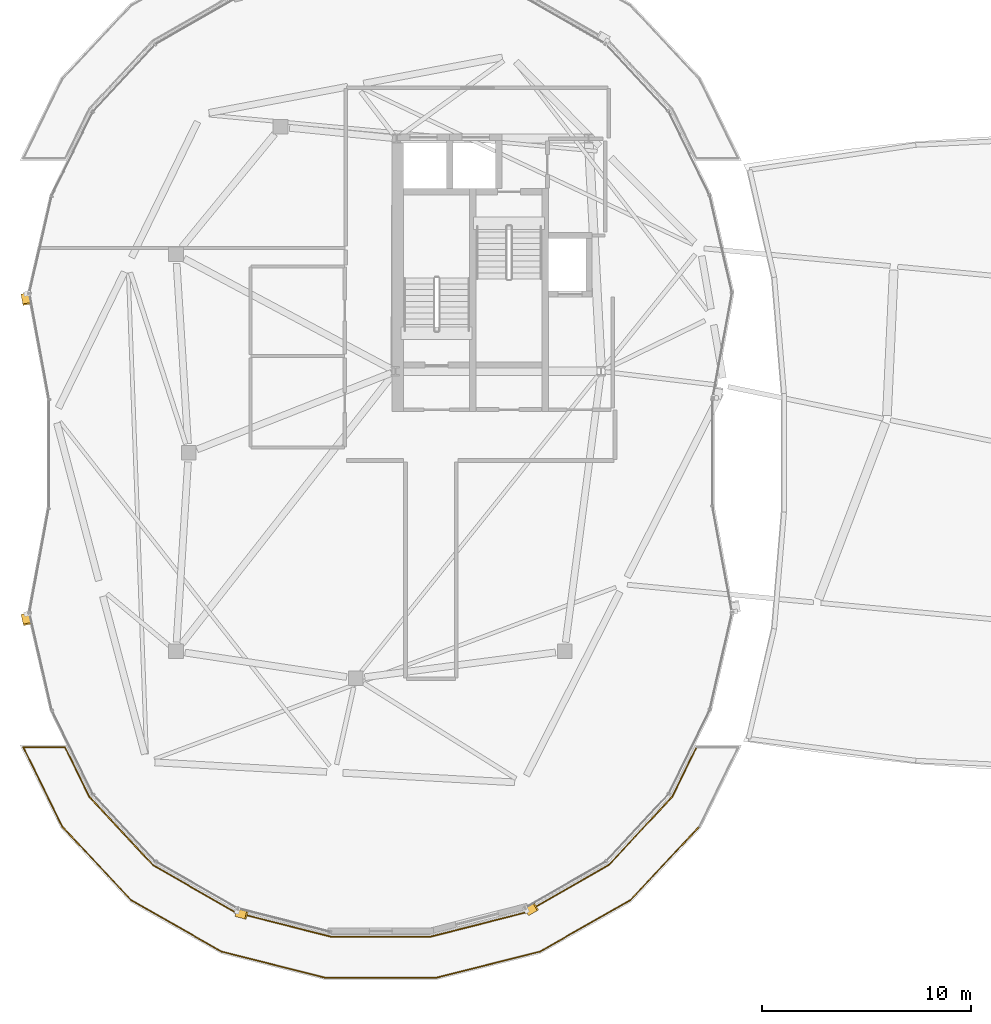
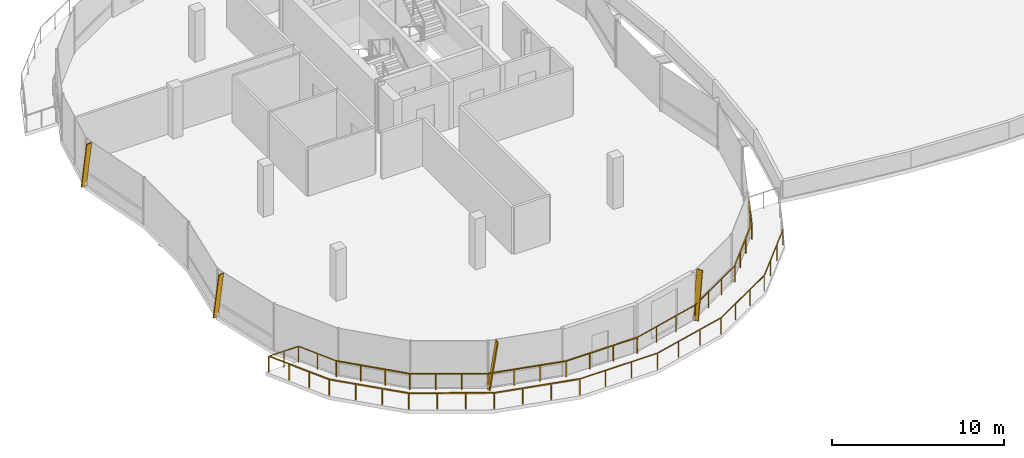
# One storey, part 25 of 31: 9 railings, 4 shading devices.
"""IFC4 building model written with IfcOpenShell, lengths in metres."""

from ifc_helpers import new_model, si_unit, direction, frame, origin, origin_2d, place, context, subcontext, project, spatial, rectangle, extrude, material, material_profile, profile_set, type_object, element, save


model = new_model("IFC4")

# Units and contexts
model_context = context("Model", 3, precision=1e-05, world=origin(), true_north=direction((0.0, 1.0)))
body_context = subcontext(model_context, "Body", "Model", "MODEL_VIEW")
ifc_project = project(units=[si_unit("LENGTHUNIT", "METRE"), si_unit("AREAUNIT", "SQUARE_METRE"), si_unit("VOLUMEUNIT", "CUBIC_METRE"), si_unit("PLANEANGLEUNIT", "RADIAN"), si_unit("MASSUNIT", "GRAM", prefix="KILO"), si_unit("THERMODYNAMICTEMPERATUREUNIT", "KELVIN"), si_unit("POWERUNIT", "WATT")], contexts=[model_context])

# Site, building, storey
site_placement = place(None, origin())
site = spatial("IfcSite", under=ifc_project, at=site_placement, CompositionType="ELEMENT")
building_placement = place(site_placement, origin())
building = spatial("IfcBuilding", under=site, at=building_placement, Name="Cundina Bronze Exchange", CompositionType="ELEMENT")
storey_placement = place(building_placement, frame((0.0, 0.0, 275.60009765625)))
storey = spatial("IfcBuildingStorey", under=building, at=storey_placement, Name="L73", CompositionType="ELEMENT", Elevation=275.60009765625)

# Railings
ifc_material = material(Name="Anodised Bronze Aluminium 6063-T6", Category="aluminium")
railing_type = type_object("IfcRailingType", Name="RLG-GRD-1150", PredefinedType="GUARDRAIL", material=ifc_material)
railing_1_placement = place(storey_placement, frame((-16.756103515625, -17.903564453125, 0.0)))
element("IfcRailing", 1, at=railing_1_placement, inside=storey, type_object=railing_type, Name="L73 Perimeter Safety Guardrail 01", PredefinedType="GUARDRAIL", context=body_context, shape_type="SweptSolid", body=[
    extrude(rectangle(XDim=0.048095703125, YDim=0.048095703125, at=origin_2d()), frame((0.0, 0.0, 1.1259765625), z_axis=(-0.684374532241, -0.729130646469, 0.0), x_axis=(0.729130646469, -0.684374532241, 0.0)), (0.0, 0.0, 1.0), 4.8330078125),
    extrude(rectangle(XDim=0.048095703125, YDim=0.048095703125, at=origin_2d()), frame((-3.3076171875, -3.52392578125, 1.1259765625), z_axis=(-0.86955534313, -0.493835504226, 0.0), x_axis=(0.493835504226, -0.86955534313, 0.0)), (0.0, 0.0, 1.0), 4.968994140625),
    extrude(rectangle(XDim=0.0419921875, YDim=0.0419921875, at=origin_2d()), origin(), (0.0, 0.0, 1.0), 1.101806640625),
    extrude(rectangle(XDim=0.0419921875, YDim=0.0419921875, at=origin_2d()), frame((-1.1025390625, -1.174560546875, 0.0)), (0.0, 0.0, 1.0), 1.101806640625),
    extrude(rectangle(XDim=0.0419921875, YDim=0.0419921875, at=origin_2d()), frame((-2.205078125, -2.349365234375, 0.0)), (0.0, 0.0, 1.0), 1.101806640625),
    extrude(rectangle(XDim=0.0419921875, YDim=0.0419921875, at=origin_2d()), frame((-3.3076171875, -3.52392578125, 0.0)), (0.0, 0.0, 1.0), 1.101806640625),
    extrude(rectangle(XDim=0.0419921875, YDim=0.0419921875, at=origin_2d()), frame((-4.747802734375, -4.341796875, 0.0)), (0.0, 0.0, 1.0), 1.101806640625),
    extrude(rectangle(XDim=0.0419921875, YDim=0.0419921875, at=origin_2d()), frame((-6.188232421875, -5.159912109375, 0.0)), (0.0, 0.0, 1.0), 1.101806640625),
    extrude(rectangle(XDim=0.0419921875, YDim=0.0419921875, at=origin_2d()), frame((-7.62841796875, -5.977783203125, 0.0)), (0.0, 0.0, 1.0), 1.101806640625),
])
railing_2_placement = place(storey_placement, frame((-24.384521484375, -23.88134765625, 0.0)))
element("IfcRailing", 2, at=railing_2_placement, inside=storey, type_object=railing_type, Name="L73 Perimeter Safety Guardrail 02", PredefinedType="GUARDRAIL", context=body_context, shape_type="SweptSolid", body=[
    extrude(rectangle(XDim=0.048095703125, YDim=0.048095703125, at=origin_2d()), frame((0.0, 0.0, 1.1259765625), z_axis=(-0.969737184332, -0.244151168998, 0.0), x_axis=(0.244151168998, -0.969737184332, 0.0)), (0.0, 0.0, 1.0), 5.15478515625),
    extrude(rectangle(XDim=0.048095703125, YDim=0.048095703125, at=origin_2d()), frame((-4.998779296875, -1.258544921875, 1.1259765625), z_axis=(-1.0, 0.0, 0.0), x_axis=(0.0, -1.0, 0.0)), (0.0, 0.0, 1.0), 5.2333984375),
    extrude(rectangle(XDim=0.0419921875, YDim=0.0419921875, at=origin_2d()), origin(), (0.0, 0.0, 1.0), 1.101806640625),
    extrude(rectangle(XDim=0.0419921875, YDim=0.0419921875, at=origin_2d()), frame((-1.666259765625, -0.41943359375, 0.0)), (0.0, 0.0, 1.0), 1.101806640625),
    extrude(rectangle(XDim=0.0419921875, YDim=0.0419921875, at=origin_2d()), frame((-3.33251953125, -0.839111328125, 0.0)), (0.0, 0.0, 1.0), 1.101806640625),
    extrude(rectangle(XDim=0.0419921875, YDim=0.0419921875, at=origin_2d()), frame((-4.998779296875, -1.258544921875, 0.0)), (0.0, 0.0, 1.0), 1.101806640625),
    extrude(rectangle(XDim=0.0419921875, YDim=0.0419921875, at=origin_2d()), frame((-6.7431640625, -1.258544921875, 0.0)), (0.0, 0.0, 1.0), 1.101806640625),
    extrude(rectangle(XDim=0.0419921875, YDim=0.0419921875, at=origin_2d()), frame((-8.48779296875, -1.258544921875, 0.0)), (0.0, 0.0, 1.0), 1.101806640625),
    extrude(rectangle(XDim=0.0419921875, YDim=0.0419921875, at=origin_2d()), frame((-10.232177734375, -1.258544921875, 0.0)), (0.0, 0.0, 1.0), 1.101806640625),
])
railing_3_placement = place(storey_placement, frame((-34.61669921875, -25.139892578125, 0.0)))
element("IfcRailing", 3, at=railing_3_placement, inside=storey, type_object=railing_type, Name="L73 Perimeter Safety Guardrail 03", PredefinedType="GUARDRAIL", context=body_context, shape_type="SweptSolid", body=[
    extrude(rectangle(XDim=0.048095703125, YDim=0.048095703125, at=origin_2d()), frame((0.0, 0.0, 1.1259765625), z_axis=(-0.969737184332, 0.244151168998, 0.0), x_axis=(-0.244151168998, -0.969737184332, 0.0)), (0.0, 0.0, 1.0), 5.15478515625),
    extrude(rectangle(XDim=0.048095703125, YDim=0.048095703125, at=origin_2d()), frame((-4.998779296875, 1.258544921875, 1.1259765625), z_axis=(-0.86955534313, 0.493835504226, 0.0), x_axis=(-0.493835504226, -0.86955534313, 0.0)), (0.0, 0.0, 1.0), 4.968994140625),
    extrude(rectangle(XDim=0.0419921875, YDim=0.0419921875, at=origin_2d()), origin(), (0.0, 0.0, 1.0), 1.101806640625),
    extrude(rectangle(XDim=0.0419921875, YDim=0.0419921875, at=origin_2d()), frame((-1.666259765625, 0.41943359375, 0.0)), (0.0, 0.0, 1.0), 1.101806640625),
    extrude(rectangle(XDim=0.0419921875, YDim=0.0419921875, at=origin_2d()), frame((-3.33251953125, 0.839111328125, 0.0)), (0.0, 0.0, 1.0), 1.101806640625),
    extrude(rectangle(XDim=0.0419921875, YDim=0.0419921875, at=origin_2d()), frame((-4.998779296875, 1.258544921875, 0.0)), (0.0, 0.0, 1.0), 1.101806640625),
    extrude(rectangle(XDim=0.0419921875, YDim=0.0419921875, at=origin_2d()), frame((-6.43896484375, 2.076416015625, 0.0)), (0.0, 0.0, 1.0), 1.101806640625),
    extrude(rectangle(XDim=0.0419921875, YDim=0.0419921875, at=origin_2d()), frame((-7.87939453125, 2.89453125, 0.0)), (0.0, 0.0, 1.0), 1.101806640625),
    extrude(rectangle(XDim=0.0419921875, YDim=0.0419921875, at=origin_2d()), frame((-9.319580078125, 3.71240234375, 0.0)), (0.0, 0.0, 1.0), 1.101806640625),
])
railing_4_placement = place(storey_placement, frame((-43.936279296875, -21.427490234375, 0.0)))
element("IfcRailing", 4, at=railing_4_placement, inside=storey, type_object=railing_type, Name="L73 Perimeter Safety Guardrail 04", PredefinedType="GUARDRAIL", context=body_context, shape_type="SweptSolid", body=[
    extrude(rectangle(XDim=0.048095703125, YDim=0.048095703125, at=origin_2d()), frame((0.0, 0.0, 1.1259765625), z_axis=(-0.684374532241, 0.729130646469, 0.0), x_axis=(-0.729130646469, -0.684374532241, 0.0)), (0.0, 0.0, 1.0), 4.8330078125),
    extrude(rectangle(XDim=0.048095703125, YDim=0.048095703125, at=origin_2d()), frame((-3.3076171875, 3.52392578125, 1.1259765625), z_axis=(-0.440493349909, 0.897755873657, 0.0), x_axis=(-0.897755873657, -0.440493349909, 0.0)), (0.0, 0.0, 1.0), 4.236572265625),
    extrude(rectangle(XDim=0.0419921875, YDim=0.0419921875, at=origin_2d()), origin(), (0.0, 0.0, 1.0), 1.101806640625),
    extrude(rectangle(XDim=0.0419921875, YDim=0.0419921875, at=origin_2d()), frame((-1.1025390625, 1.174560546875, 0.0)), (0.0, 0.0, 1.0), 1.101806640625),
    extrude(rectangle(XDim=0.0419921875, YDim=0.0419921875, at=origin_2d()), frame((-2.205078125, 2.349365234375, 0.0)), (0.0, 0.0, 1.0), 1.101806640625),
    extrude(rectangle(XDim=0.0419921875, YDim=0.0419921875, at=origin_2d()), frame((-3.3076171875, 3.52392578125, 0.0)), (0.0, 0.0, 1.0), 1.101806640625),
    extrude(rectangle(XDim=0.0419921875, YDim=0.0419921875, at=origin_2d()), frame((-3.9296875, 4.791748046875, 0.0)), (0.0, 0.0, 1.0), 1.101806640625),
    extrude(rectangle(XDim=0.0419921875, YDim=0.0419921875, at=origin_2d()), frame((-4.5517578125, 6.0595703125, 0.0)), (0.0, 0.0, 1.0), 1.101806640625),
    extrude(rectangle(XDim=0.0419921875, YDim=0.0419921875, at=origin_2d()), frame((-5.173828125, 7.327392578125, 0.0)), (0.0, 0.0, 1.0), 1.101806640625),
])
railing_5_placement = place(storey_placement, frame((-49.110107421875, -14.10009765625, 0.0)))
element("IfcRailing", 5, at=railing_5_placement, inside=storey, type_object=railing_type, Name="L73 Perimeter Safety Guardrail 05", PredefinedType="GUARDRAIL", context=body_context, shape_type="SweptSolid", body=[
    extrude(rectangle(XDim=0.048095703125, YDim=0.048095703125, at=origin_2d()), frame((0.0, 0.0, 1.1259765625), z_axis=(1.0, 0.0, 0.0), x_axis=(0.0, 1.0, 0.0)), (0.0, 0.0, 1.0), 1.99560546875),
    extrude(rectangle(XDim=0.048095703125, YDim=0.048095703125, at=origin_2d()), frame((1.99560546875, 0.0, 1.1259765625), z_axis=(0.439873538042, -0.898059725481, 0.0), x_axis=(0.898059725481, 0.439873538042, 0.0)), (0.0, 0.0, 1.0), 2.6396484375),
    extrude(rectangle(XDim=0.0419921875, YDim=0.0419921875, at=origin_2d()), origin(), (0.0, 0.0, 1.0), 1.101806640625),
    extrude(rectangle(XDim=0.0419921875, YDim=0.0419921875, at=origin_2d()), frame((0.997802734375, 0.0, 0.0)), (0.0, 0.0, 1.0), 1.101806640625),
    extrude(rectangle(XDim=0.0419921875, YDim=0.0419921875, at=origin_2d()), frame((1.99560546875, 0.0, 0.0)), (0.0, 0.0, 1.0), 1.101806640625),
    extrude(rectangle(XDim=0.0419921875, YDim=0.0419921875, at=origin_2d()), frame((2.576171875, -1.185302734375, 0.0)), (0.0, 0.0, 1.0), 1.101806640625),
    extrude(rectangle(XDim=0.0419921875, YDim=0.0419921875, at=origin_2d()), frame((3.15673828125, -2.37060546875, 0.0)), (0.0, 0.0, 1.0), 1.101806640625),
])
railing_6_placement = place(storey_placement, frame((-45.953369140625, -16.470703125, 0.0)))
element("IfcRailing", 6, at=railing_6_placement, inside=storey, type_object=railing_type, Name="L73 Perimeter Safety Guardrail 06", PredefinedType="GUARDRAIL", context=body_context, shape_type="SweptSolid", body=[
    extrude(rectangle(XDim=0.048095703125, YDim=0.048095703125, at=origin_2d()), frame((0.0, 0.0, 1.1259765625), z_axis=(0.681882342668, -0.731461872388, 0.0), x_axis=(0.731461872388, 0.681882342668, 0.0)), (0.0, 0.0, 1.0), 4.47119140625),
    extrude(rectangle(XDim=0.048095703125, YDim=0.048095703125, at=origin_2d()), frame((3.048828125, -3.2705078125, 1.1259765625), z_axis=(0.867568999223, -0.497316832198, 0.0), x_axis=(0.497316832198, 0.867568999223, 0.0)), (0.0, 0.0, 1.0), 4.5517578125),
    extrude(rectangle(XDim=0.0419921875, YDim=0.0419921875, at=origin_2d()), origin(), (0.0, 0.0, 1.0), 1.101806640625),
    extrude(rectangle(XDim=0.0419921875, YDim=0.0419921875, at=origin_2d()), frame((1.016357421875, -1.090087890625, 0.0)), (0.0, 0.0, 1.0), 1.101806640625),
    extrude(rectangle(XDim=0.0419921875, YDim=0.0419921875, at=origin_2d()), frame((2.032470703125, -2.180419921875, 0.0)), (0.0, 0.0, 1.0), 1.101806640625),
    extrude(rectangle(XDim=0.0419921875, YDim=0.0419921875, at=origin_2d()), frame((3.048828125, -3.2705078125, 0.0)), (0.0, 0.0, 1.0), 1.101806640625),
    extrude(rectangle(XDim=0.0419921875, YDim=0.0419921875, at=origin_2d()), frame((4.365234375, -4.025146484375, 0.0)), (0.0, 0.0, 1.0), 1.101806640625),
    extrude(rectangle(XDim=0.0419921875, YDim=0.0419921875, at=origin_2d()), frame((5.681396484375, -4.779541015625, 0.0)), (0.0, 0.0, 1.0), 1.101806640625),
    extrude(rectangle(XDim=0.0419921875, YDim=0.0419921875, at=origin_2d()), frame((6.997802734375, -5.5341796875, 0.0)), (0.0, 0.0, 1.0), 1.101806640625),
])
railing_7_placement = place(storey_placement, frame((-38.95556640625, -22.0048828125, 0.0)))
element("IfcRailing", 7, at=railing_7_placement, inside=storey, type_object=railing_type, Name="L73 Perimeter Safety Guardrail 07", PredefinedType="GUARDRAIL", context=body_context, shape_type="SweptSolid", body=[
    extrude(rectangle(XDim=0.048095703125, YDim=0.048095703125, at=origin_2d()), frame((0.0, 0.0, 1.1259765625), z_axis=(0.969066775148, -0.246798673628, 0.0), x_axis=(0.246798673628, 0.969066775148, 0.0)), (0.0, 0.0, 1.0), 4.713623046875),
    extrude(rectangle(XDim=0.048095703125, YDim=0.048095703125, at=origin_2d()), frame((4.56787109375, -1.163330078125, 1.1259765625), z_axis=(1.0, 0.0, 0.0), x_axis=(0.0, 1.0, 0.0)), (0.0, 0.0, 1.0), 4.775390625),
    extrude(rectangle(XDim=0.0419921875, YDim=0.0419921875, at=origin_2d()), origin(), (0.0, 0.0, 1.0), 1.101806640625),
    extrude(rectangle(XDim=0.0419921875, YDim=0.0419921875, at=origin_2d()), frame((1.522705078125, -0.3876953125, 0.0)), (0.0, 0.0, 1.0), 1.101806640625),
    extrude(rectangle(XDim=0.0419921875, YDim=0.0419921875, at=origin_2d()), frame((3.045166015625, -0.775634765625, 0.0)), (0.0, 0.0, 1.0), 1.101806640625),
    extrude(rectangle(XDim=0.0419921875, YDim=0.0419921875, at=origin_2d()), frame((4.56787109375, -1.163330078125, 0.0)), (0.0, 0.0, 1.0), 1.101806640625),
    extrude(rectangle(XDim=0.0419921875, YDim=0.0419921875, at=origin_2d()), frame((6.15966796875, -1.163330078125, 0.0)), (0.0, 0.0, 1.0), 1.101806640625),
    extrude(rectangle(XDim=0.0419921875, YDim=0.0419921875, at=origin_2d()), frame((7.75146484375, -1.163330078125, 0.0)), (0.0, 0.0, 1.0), 1.101806640625),
    extrude(rectangle(XDim=0.0419921875, YDim=0.0419921875, at=origin_2d()), frame((9.34326171875, -1.163330078125, 0.0)), (0.0, 0.0, 1.0), 1.101806640625),
])
railing_8_placement = place(storey_placement, frame((-29.6123046875, -23.168212890625, 0.0)))
element("IfcRailing", 8, at=railing_8_placement, inside=storey, type_object=railing_type, Name="L73 Perimeter Safety Guardrail 08", PredefinedType="GUARDRAIL", context=body_context, shape_type="SweptSolid", body=[
    extrude(rectangle(XDim=0.048095703125, YDim=0.048095703125, at=origin_2d()), frame((0.0, 0.0, 1.1259765625), z_axis=(0.968966978327, 0.247190199869, 0.0), x_axis=(-0.247190199869, 0.968966978327, 0.0)), (0.0, 0.0, 1.0), 4.723876953125),
    extrude(rectangle(XDim=0.048095703125, YDim=0.048095703125, at=origin_2d()), frame((4.577392578125, 1.167724609375, 1.1259765625), z_axis=(0.867108491991, 0.498119326183, 0.0), x_axis=(-0.498119326183, 0.867108491991, 0.0)), (0.0, 0.0, 1.0), 4.56396484375),
    extrude(rectangle(XDim=0.0419921875, YDim=0.0419921875, at=origin_2d()), origin(), (0.0, 0.0, 1.0), 1.101806640625),
    extrude(rectangle(XDim=0.0419921875, YDim=0.0419921875, at=origin_2d()), frame((1.52587890625, 0.38916015625, 0.0)), (0.0, 0.0, 1.0), 1.101806640625),
    extrude(rectangle(XDim=0.0419921875, YDim=0.0419921875, at=origin_2d()), frame((3.051513671875, 0.778564453125, 0.0)), (0.0, 0.0, 1.0), 1.101806640625),
    extrude(rectangle(XDim=0.0419921875, YDim=0.0419921875, at=origin_2d()), frame((4.577392578125, 1.167724609375, 0.0)), (0.0, 0.0, 1.0), 1.101806640625),
    extrude(rectangle(XDim=0.0419921875, YDim=0.0419921875, at=origin_2d()), frame((5.896484375, 1.925537109375, 0.0)), (0.0, 0.0, 1.0), 1.101806640625),
    extrude(rectangle(XDim=0.0419921875, YDim=0.0419921875, at=origin_2d()), frame((7.2158203125, 2.683349609375, 0.0)), (0.0, 0.0, 1.0), 1.101806640625),
    extrude(rectangle(XDim=0.0419921875, YDim=0.0419921875, at=origin_2d()), frame((8.534912109375, 3.441162109375, 0.0)), (0.0, 0.0, 1.0), 1.101806640625),
])
railing_9_placement = place(storey_placement, frame((-21.077392578125, -19.72705078125, 0.0)))
element("IfcRailing", 9, at=railing_9_placement, inside=storey, type_object=railing_type, Name="L73 Perimeter Safety Guardrail 09", PredefinedType="GUARDRAIL", context=body_context, shape_type="SweptSolid", body=[
    extrude(rectangle(XDim=0.048095703125, YDim=0.048095703125, at=origin_2d()), frame((0.0, 0.0, 1.1259765625), z_axis=(0.681296870711, 0.732007222615, 0.0), x_axis=(-0.732007222615, 0.681296870711, 0.0)), (0.0, 0.0, 1.0), 4.448486328125),
    extrude(rectangle(XDim=0.048095703125, YDim=0.048095703125, at=origin_2d()), frame((3.03076171875, 3.25634765625, 1.1259765625), z_axis=(0.439873538042, 0.898059725481, 0.0), x_axis=(-0.898059725481, 0.439873538042, 0.0)), (0.0, 0.0, 1.0), 2.6396484375),
    extrude(rectangle(XDim=0.0419921875, YDim=0.0419921875, at=origin_2d()), origin(), (0.0, 0.0, 1.0), 1.101806640625),
    extrude(rectangle(XDim=0.0419921875, YDim=0.0419921875, at=origin_2d()), frame((1.01025390625, 1.08544921875, 0.0)), (0.0, 0.0, 1.0), 1.101806640625),
    extrude(rectangle(XDim=0.0419921875, YDim=0.0419921875, at=origin_2d()), frame((2.0205078125, 2.1708984375, 0.0)), (0.0, 0.0, 1.0), 1.101806640625),
    extrude(rectangle(XDim=0.0419921875, YDim=0.0419921875, at=origin_2d()), frame((3.03076171875, 3.25634765625, 0.0)), (0.0, 0.0, 1.0), 1.101806640625),
    extrude(rectangle(XDim=0.0419921875, YDim=0.0419921875, at=origin_2d()), frame((3.611328125, 4.441650390625, 0.0)), (0.0, 0.0, 1.0), 1.101806640625),
    extrude(rectangle(XDim=0.0419921875, YDim=0.0419921875, at=origin_2d()), frame((4.19189453125, 5.626953125, 0.0)), (0.0, 0.0, 1.0), 1.101806640625),
])

# Shading devices
ifc_material_profile = material_profile(ifc_material, rectangle(XDim=0.070068359375, YDim=0.3798828125, at=origin_2d()), Name="FIN70X380", Category="aluminium")
ifc_profile_set = profile_set([ifc_material_profile], Name="Anodised Bronze Aluminium 6063-T6")
shading_device_type = type_object("IfcShadingDeviceType", Name="SHD-FIN-BRZ380", PredefinedType="USERDEFINED", material=ifc_profile_set)
for number, where, z_axis, x_axis, name in (
    (10, (-49.03173828125, 7.595458984375, 0.02001953125), (0.026138160459, -0.141526790384, 0.989589290651), (-0.179724849339, 0.973132027374, 0.143920241205), "L73 Diagonal Bronze Solar Fin 5"),
    (11, (-49.02880859375, -7.733154296875, 0.02001953125), (0.032288177481, -0.140281514859, 0.989585049495), (-0.221966174692, 0.964370046961, 0.143949400194), "L73 Diagonal Bronze Solar Fin 1"),
    (12, (-38.8984375, -22.025390625, 0.02001953125), (0.139476258949, -0.035582919606, 0.989585887643), (-0.958873481619, 0.244625990586, 0.1439436382), "L73 Diagonal Bronze Solar Fin 5"),
    (13, (-24.98779296875, -21.9794921875, 0.02001953125), (0.124905074088, 0.071677648026, 0.98957619072), (-0.858293459444, -0.492537688626, 0.144010286991), "L73 Diagonal Bronze Solar Fin 1"),
):
    element("IfcShadingDevice", number, at=place(storey_placement, frame(where, z_axis=z_axis, x_axis=x_axis)), inside=storey, type_object=shading_device_type, Name=name, ObjectType="FIN", PredefinedType="USERDEFINED", context=body_context, shape_type="SweptSolid", body=[
        extrude(rectangle(XDim=0.070068359375, YDim=0.3798828125, at=origin_2d()), origin(), (0.0, 0.0, 1.0), 3.33447265625),
    ])

save(model, "model.ifc")
